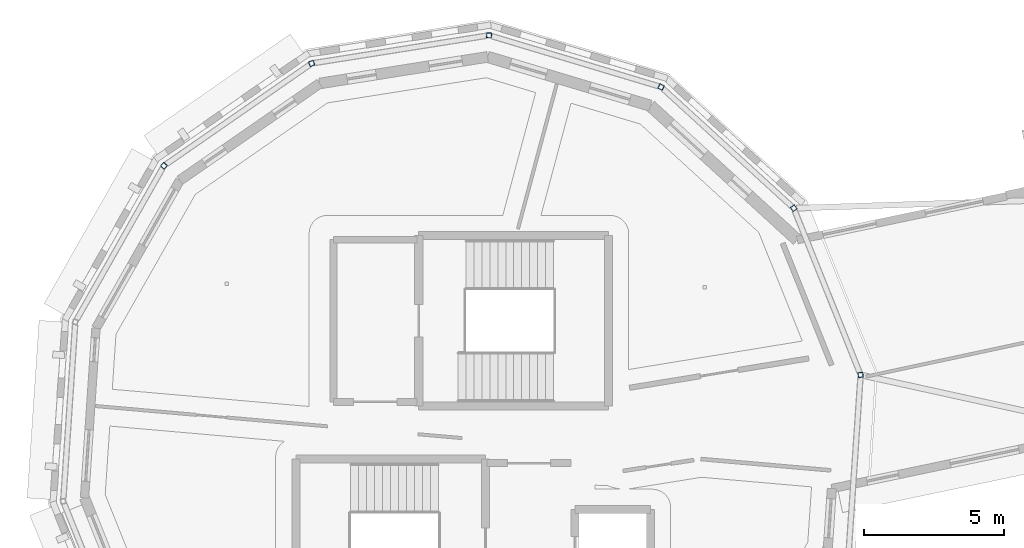
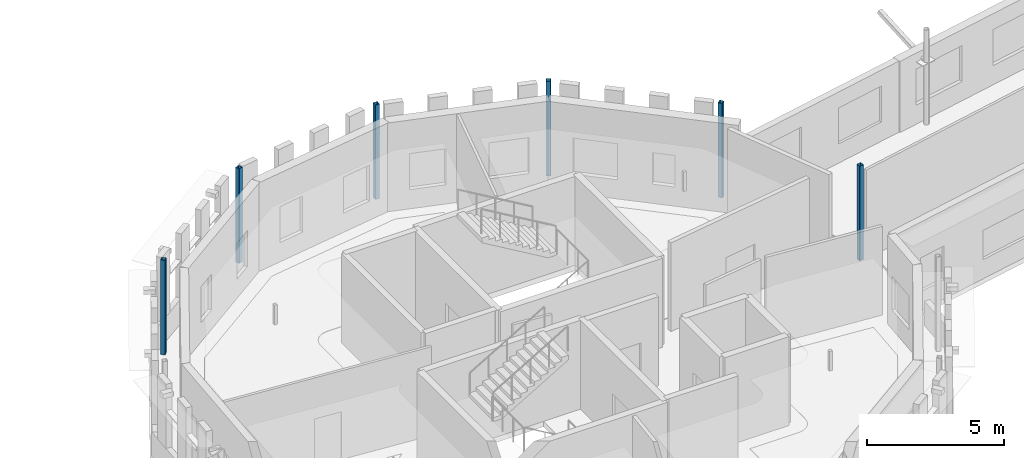
# One storey, part 8 of 68: 6 columns.
"""IFC4 building model written with IfcOpenShell, lengths in metres."""

from ifc_helpers import new_model, si_unit, direction, frame, origin, origin_2d, place, context, subcontext, project, spatial, hollow_rectangle, extrude, material, material_profile, profile_set, type_object, element, save


model = new_model("IFC4")

# Units and contexts
model_context = context("Model", 3, precision=1e-05, world=origin(), true_north=direction((0.0, 1.0)))
body_context = subcontext(model_context, "Body", "Model", "MODEL_VIEW")
ifc_project = project(units=[si_unit("LENGTHUNIT", "METRE"), si_unit("AREAUNIT", "SQUARE_METRE"), si_unit("VOLUMEUNIT", "CUBIC_METRE"), si_unit("PLANEANGLEUNIT", "RADIAN"), si_unit("MASSUNIT", "GRAM", prefix="KILO")], contexts=[model_context])

# Site, building, storey
site_placement = place(None, origin())
site = spatial("IfcSite", under=ifc_project, at=site_placement, CompositionType="ELEMENT")
building_placement = place(site_placement, origin())
building = spatial("IfcBuilding", under=site, at=building_placement, Name="Wrenclough Park School", CompositionType="ELEMENT")
storey_placement = place(building_placement, frame((0.0, 0.0, 12.60009765625)))
storey = spatial("IfcBuildingStorey", under=building, at=storey_placement, Name="L03", CompositionType="ELEMENT", Elevation=12.60009765625)

# Columns
ifc_material = material(Name="Structural steel S355", Category="steel")
ifc_material_profile = material_profile(ifc_material, hollow_rectangle(XDim=0.179931640625, YDim=0.179931640625, WallThickness=0.010009765625, InnerFilletRadius=0.010009765625, OuterFilletRadius=0.014892578125, at=origin_2d()), Name="SHS 180x180x10.0")
ifc_profile_set = profile_set([ifc_material_profile], Name="Structural steel S355")
column_type = type_object("IfcColumnType", Name="STR-COL-SHS180", PredefinedType="PILASTER", material=ifc_profile_set)
for number, where, z_axis, x_axis, name in (
    (1, (97.272216796875, 110.760498046875, 0.0), (0.0, 0.0, 1.0), (-0.15643446504, 0.987688340595, 0.0), "D4 L03 column D4-OUT-01"),
    (2, (94.8779296875, 116.72900390625, 0.0), (0.0, 0.0, 1.0), (-0.569423005964, 0.822044670489, 0.0), "D4 L03 column D4-OUT-02"),
    (3, (90.131103515625, 121.06787109375, 0.0), (0.0, 0.0, 1.0), (-0.869753437661, 0.493486532416, 0.0), "D4 L03 column D4-OUT-03"),
    (4, (83.971923828125, 122.917236328125, 0.0), (0.0, 0.0, 1.0), (-0.997731519333, 0.067318759124, 0.0), "D4 L03 column D4-OUT-04"),
    (5, (77.620361328125, 121.911376953125, 0.0), (0.0, 0.0, 1.0), (-0.928096422365, -0.372339939832, 0.0), "D4 L03 column D4-OUT-05"),
    (6, (72.334228515625, 118.2490234375, 0.0), (0.0, 0.0, 1.0), (-0.674688949446, -0.738102175512, 0.0), "D4 L03 column D4-OUT-06"),
):
    element("IfcColumn", number, at=place(storey_placement, frame(where, z_axis=z_axis, x_axis=x_axis)), inside=storey, type_object=column_type, Name=name, PredefinedType="PILASTER", context=body_context, shape_type="SweptSolid", body=[
        extrude(hollow_rectangle(XDim=0.179931640625, YDim=0.179931640625, WallThickness=0.010009765625, InnerFilletRadius=0.010009765625, OuterFilletRadius=0.014892578125, at=origin_2d()), origin(), (0.0, 0.0, 1.0), 4.199951171875),
    ])

save(model, "model.ifc")
